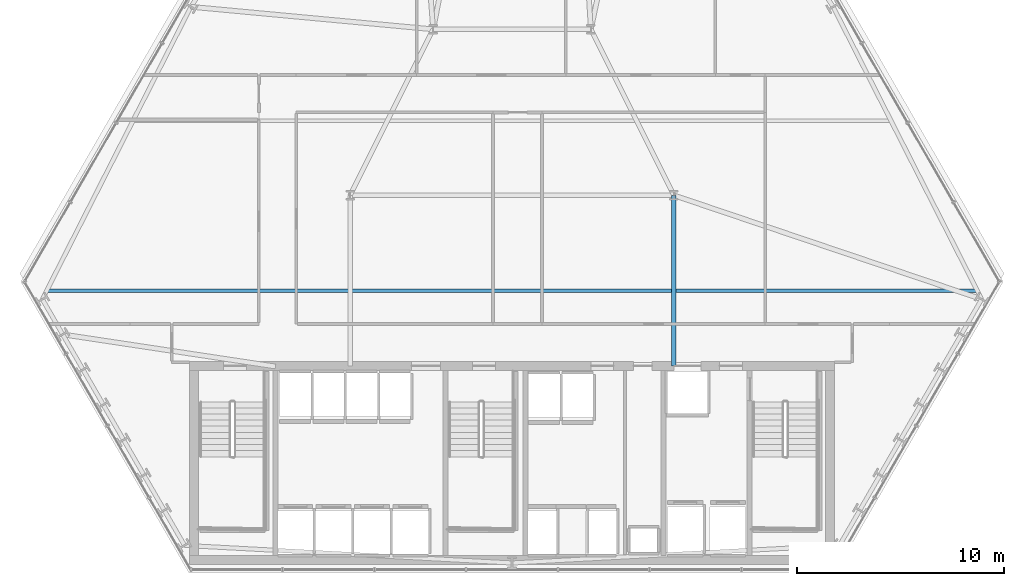
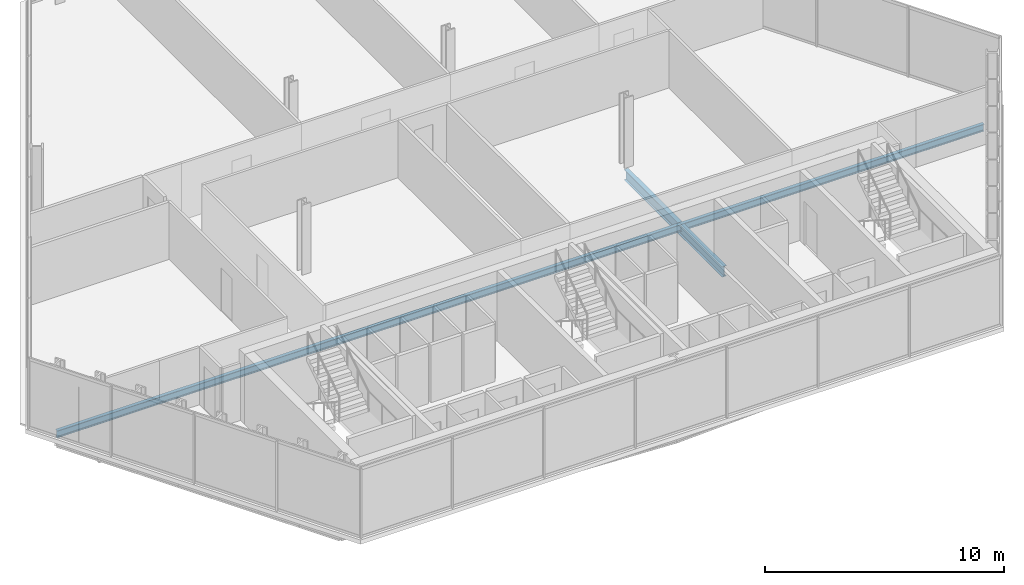
# One storey, part 9 of 32: 2 beams.
"""IFC4 building model written with IfcOpenShell, lengths in metres."""

from ifc_helpers import new_model, si_unit, direction, frame, origin, origin_2d, place, context, subcontext, project, spatial, i_section, extrude, material, material_profile, profile_set, type_object, element, save


model = new_model("IFC4")

# Units and contexts
model_context = context("Model", 3, precision=1e-05, world=origin(), true_north=direction((0.0, 1.0)))
body_context = subcontext(model_context, "Body", "Model", "MODEL_VIEW")
ifc_project = project(units=[si_unit("LENGTHUNIT", "METRE"), si_unit("AREAUNIT", "SQUARE_METRE"), si_unit("VOLUMEUNIT", "CUBIC_METRE"), si_unit("PLANEANGLEUNIT", "RADIAN"), si_unit("MASSUNIT", "GRAM", prefix="KILO")], contexts=[model_context])

# Site, building, storey
site_placement = place(None, origin())
site = spatial("IfcSite", under=ifc_project, at=site_placement, CompositionType="ELEMENT")
building_placement = place(site_placement, origin())
building = spatial("IfcBuilding", under=site, at=building_placement, Name="Ndaravel Arena Tower", CompositionType="ELEMENT")
storey_placement = place(building_placement, frame((0.0, 0.0, 47.39990234375)))
storey = spatial("IfcBuildingStorey", under=building, at=storey_placement, Name="L09", CompositionType="ELEMENT", Elevation=47.39990234375)

# Beams
ifc_material_1 = material(Name="Steel S355", Category="steel")
ifc_material_profile_1 = material_profile(ifc_material_1, i_section(OverallWidth=0.210693359375, OverallDepth=0.53955078125, WebThickness=0.01171875, FlangeThickness=0.018798828125, FilletRadius=0.0126953125, at=origin_2d()), Name="UB 533x210x109")
ifc_profile_set_1 = profile_set([ifc_material_profile_1], Name="Steel S355")
beam_type_1 = type_object("IfcBeamType", Name="BM-GIRD-UB533", PredefinedType="BEAM", material=ifc_profile_set_1)
beam_1_placement = place(storey_placement, frame((49.800048828125, 14.97998046875, -0.48974609375), z_axis=(0.0, 1.0, 0.0), x_axis=(-1.0, 0.0, 0.0)))
element("IfcBeam", 1, at=beam_1_placement, inside=storey, type_object=beam_type_1, Name="L09 Spine Link Girder SLG-02", PredefinedType="BEAM", context=body_context, shape_type="SweptSolid", body=[
    extrude(i_section(OverallWidth=0.210693359375, OverallDepth=0.53955078125, WebThickness=0.01171875, FlangeThickness=0.018798828125, FilletRadius=0.0126953125, at=origin_2d()), origin(), (0.0, 0.0, 1.0), 8.219970703125),
])
ifc_material_2 = material(Name="Steel S355", Category="steel")
ifc_material_profile_2 = material_profile(ifc_material_2, i_section(OverallWidth=0.169921875, OverallDepth=0.360107421875, WebThickness=0.008056640625, FlangeThickness=0.0126953125, FilletRadius=0.01806640625, at=origin_2d()), Name="IPE 360")
ifc_profile_set_2 = profile_set([ifc_material_profile_2], Name="Steel S355")
beam_type_2 = type_object("IfcBeamType", Name="BM-JOIST-IPE360", PredefinedType="JOIST", material=ifc_profile_set_2)
beam_2_placement = place(storey_placement, frame((19.57275390625, 18.60009765625, -0.39990234375), z_axis=(1.0, 0.0, 0.0), x_axis=(0.0, 1.0, 0.0)))
element("IfcBeam", 2, at=beam_2_placement, inside=storey, type_object=beam_type_2, Name="L09 Composite Floor Joist FJ-01", PredefinedType="JOIST", context=body_context, shape_type="SweptSolid", body=[
    extrude(i_section(OverallWidth=0.169921875, OverallDepth=0.360107421875, WebThickness=0.008056640625, FlangeThickness=0.0126953125, FilletRadius=0.01806640625, at=origin_2d()), origin(), (0.0, 0.0, 1.0), 44.8544921875),
])

save(model, "model.ifc")
